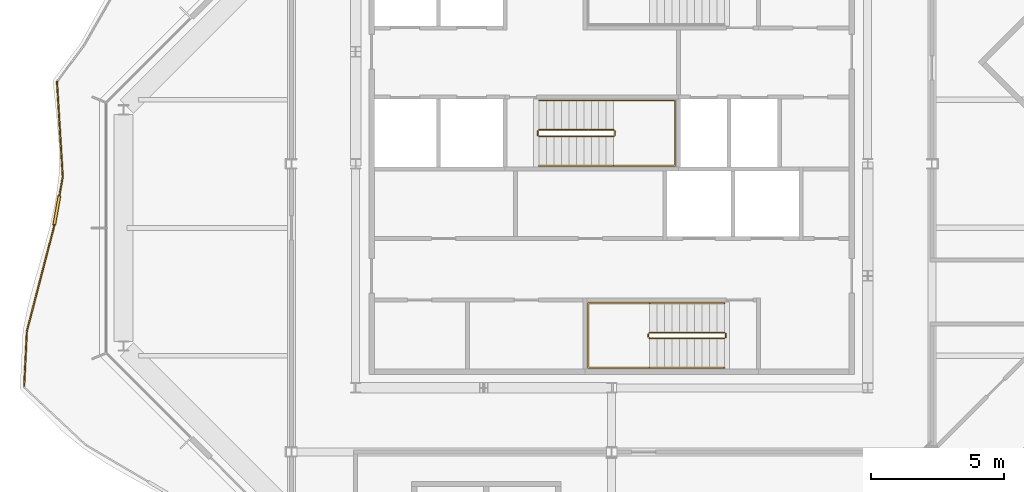
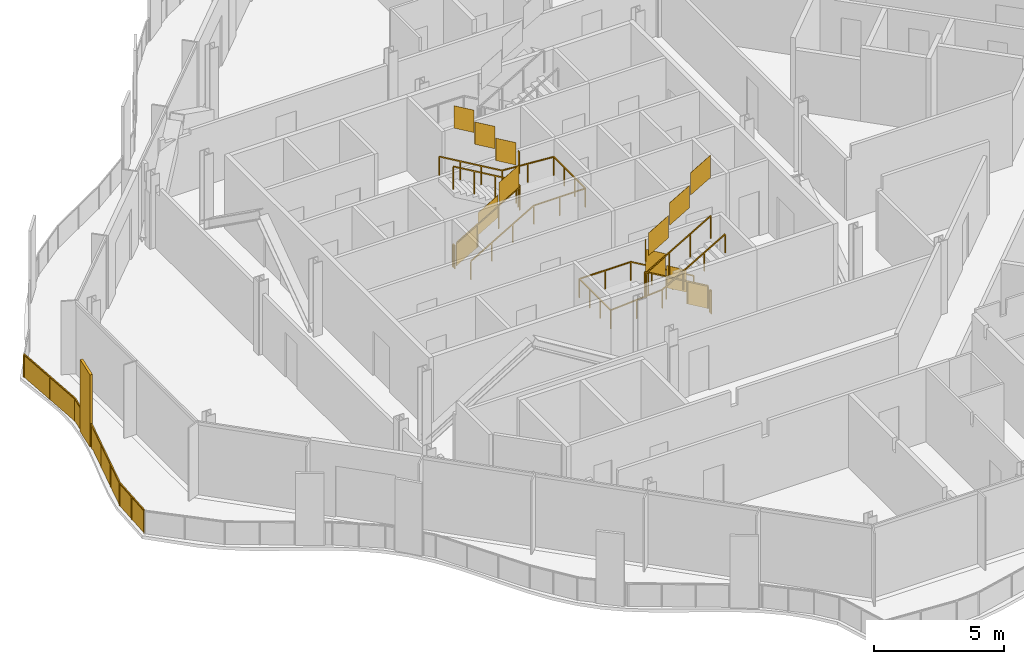
# One storey, part 13 of 16: 7 railings.
"""IFC4 building model written with IfcOpenShell, lengths in metres."""

from ifc_helpers import new_model, si_unit, direction, frame, origin, origin_2d, place, context, subcontext, project, spatial, polyline, rectangle, outline, extrude, material, type_object, element, save


model = new_model("IFC4")

# Units and contexts
model_context = context("Model", 3, precision=1e-05, world=origin(), true_north=direction((0.0, 1.0)))
body_context = subcontext(model_context, "Body", "Model", "MODEL_VIEW")
ifc_project = project(units=[si_unit("LENGTHUNIT", "METRE"), si_unit("AREAUNIT", "SQUARE_METRE"), si_unit("VOLUMEUNIT", "CUBIC_METRE"), si_unit("PLANEANGLEUNIT", "RADIAN"), si_unit("MASSUNIT", "GRAM", prefix="KILO")], contexts=[model_context])

# Site, building, storey
site_placement = place(None, origin())
site = spatial("IfcSite", under=ifc_project, at=site_placement, CompositionType="ELEMENT")
building_placement = place(site_placement, origin())
building = spatial("IfcBuilding", under=site, at=building_placement, Name="Cairn Pilgrim Tower", CompositionType="ELEMENT")
storey_placement = place(building_placement, frame((0.0, 0.0, 285.0)))
storey = spatial("IfcBuildingStorey", under=building, at=storey_placement, Name="L73", CompositionType="ELEMENT", Elevation=285.0)

# Railings
ifc_material_1 = material(Name="Bronze anodised aluminium rail, posts and fin screens with laminated glass infill", Category="aluminium")
railing_type_1 = type_object("IfcRailingType", Name="BALCONY GUARD WITH FIN SCREENS", PredefinedType="GUARDRAIL", material=ifc_material_1)
railing_1_placement = place(storey_placement, frame((-13.596923828125, 5.479248046875, 0.0)))
element("IfcRailing", 1, at=railing_1_placement, inside=storey, type_object=railing_type_1, Name="Balcony guard BGF-7 with fin screens", PredefinedType="GUARDRAIL", context=body_context, shape_type="SweptSolid", body=[
    extrude(rectangle(XDim=0.050048828125, YDim=0.050048828125, at=origin_2d()), frame((0.0, 0.0, 1.0751953125), z_axis=(0.060515682256, -0.998167246608, 0.0), x_axis=(0.998167246608, 0.060515682256, 0.0)), (0.0, 0.0, 1.0), 3.574462890625),
    extrude(rectangle(XDim=1.10009765625, YDim=0.110107421875, at=origin_2d()), frame((-0.0068359375, -4.822265625, 0.0), z_axis=(0.0, 0.0, 1.0), x_axis=(-0.175139908837, -0.984543555325, 0.0)), (0.0, 0.0, 1.0), 3.39990234375),
    extrude(rectangle(XDim=0.050048828125, YDim=0.050048828125, at=origin_2d()), frame((0.21630859375, -3.56787109375, 1.0751953125), z_axis=(-0.175139908837, -0.984543555325, 0.0), x_axis=(0.984543555325, -0.175139908837, 0.0)), (0.0, 0.0, 1.0), 0.723876953125),
    extrude(rectangle(XDim=0.050048828125, YDim=0.050048828125, at=origin_2d()), frame((-0.10302734375, -5.36376953125, 1.0751953125), z_axis=(-0.175139908837, -0.984543555325, 0.0), x_axis=(0.984543555325, -0.175139908837, 0.0)), (0.0, 0.0, 1.0), 0.14990234375),
    extrude(rectangle(XDim=0.050048828125, YDim=0.050048828125, at=origin_2d()), frame((-0.12939453125, -5.51123046875, 1.0751953125), z_axis=(-0.252115597866, -0.967697124783, 0.0), x_axis=(0.967697124783, -0.252115597866, 0.0)), (0.0, 0.0, 1.0), 3.958740234375),
    extrude(rectangle(XDim=0.050048828125, YDim=0.050048828125, at=origin_2d()), frame((-1.12744140625, -9.342041015625, 1.0751953125), z_axis=(-0.049931687518, -0.998752635331, 0.0), x_axis=(0.998752635331, -0.049931687518, 0.0)), (0.0, 0.0, 1.0), 2.053466796875),
    extrude(rectangle(XDim=0.050048828125, YDim=0.050048828125, at=origin_2d()), origin(), (0.0, 0.0, 1.0), 1.050048828125),
    extrude(rectangle(XDim=0.050048828125, YDim=0.050048828125, at=origin_2d()), frame((0.108154296875, -1.783935546875, 0.0)), (0.0, 0.0, 1.0), 1.050048828125),
    extrude(rectangle(XDim=0.050048828125, YDim=0.050048828125, at=origin_2d()), frame((0.21630859375, -3.56787109375, 0.0)), (0.0, 0.0, 1.0), 1.050048828125),
    extrude(rectangle(XDim=0.050048828125, YDim=0.050048828125, at=origin_2d()), frame((0.093994140625, -4.256103515625, 0.0)), (0.0, 0.0, 1.0), 1.050048828125),
    extrude(rectangle(XDim=0.050048828125, YDim=0.050048828125, at=origin_2d()), frame((-0.107421875, -5.38818359375, 0.0)), (0.0, 0.0, 1.0), 1.050048828125),
    extrude(rectangle(XDim=0.050048828125, YDim=0.050048828125, at=origin_2d()), frame((-0.12939453125, -5.51123046875, 0.0)), (0.0, 0.0, 1.0), 1.050048828125),
    extrude(rectangle(XDim=0.050048828125, YDim=0.050048828125, at=origin_2d()), frame((-0.462158203125, -6.7880859375, 0.0)), (0.0, 0.0, 1.0), 1.050048828125),
    extrude(rectangle(XDim=0.050048828125, YDim=0.050048828125, at=origin_2d()), frame((-0.794677734375, -8.065185546875, 0.0)), (0.0, 0.0, 1.0), 1.050048828125),
    extrude(rectangle(XDim=0.050048828125, YDim=0.050048828125, at=origin_2d()), frame((-1.12744140625, -9.342041015625, 0.0)), (0.0, 0.0, 1.0), 1.050048828125),
    extrude(rectangle(XDim=0.050048828125, YDim=0.050048828125, at=origin_2d()), frame((-1.1787109375, -10.36767578125, 0.0)), (0.0, 0.0, 1.0), 1.050048828125),
    extrude(rectangle(XDim=0.050048828125, YDim=0.050048828125, at=origin_2d()), frame((-1.22998046875, -11.39306640625, 0.0)), (0.0, 0.0, 1.0), 1.050048828125),
    extrude(outline(polyline([(0.02490234375, 0.0), (1.76220703125, 0.0), (1.76220703125, 1.050048828125), (0.02490234375, 1.050048828125), (0.02490234375, 0.0)])), frame((0.005859375, 0.000244140625, 0.0), z_axis=(-0.998167246608, -0.060515682256, 0.0), x_axis=(0.060515682256, -0.998167246608, 0.0)), (0.0, 0.0, 1.0), 0.011962890625),
    extrude(outline(polyline([(0.02490234375, 0.0), (1.76220703125, 0.0), (1.76220703125, 1.050048828125), (0.02490234375, 1.050048828125), (0.02490234375, 0.0)])), frame((0.114013671875, -1.78369140625, 0.0), z_axis=(-0.998167246608, -0.060515682256, 0.0), x_axis=(0.060515682256, -0.998167246608, 0.0)), (0.0, 0.0, 1.0), 0.011962890625),
    extrude(outline(polyline([(0.02490234375, 0.0), (0.673828125, 0.0), (0.673828125, 1.050048828125), (0.02490234375, 1.050048828125), (0.02490234375, 0.0)])), frame((0.22216796875, -3.56884765625, 0.0), z_axis=(-0.984543555325, 0.175139908837, 0.0), x_axis=(-0.175139908837, -0.984543555325, 0.0)), (0.0, 0.0, 1.0), 0.011962890625),
    extrude(outline(polyline([(0.02490234375, 0.0), (0.099853515625, 0.0), (0.099853515625, 1.050048828125), (0.02490234375, 1.050048828125), (0.02490234375, 0.0)])), frame((-0.1015625, -5.389404296875, 0.0), z_axis=(-0.984543555325, 0.175139908837, 0.0), x_axis=(-0.175139908837, -0.984543555325, 0.0)), (0.0, 0.0, 1.0), 0.011962890625),
    extrude(outline(polyline([(0.02490234375, 0.0), (1.29443359375, 0.0), (1.29443359375, 1.050048828125), (0.02490234375, 1.050048828125), (0.02490234375, 0.0)])), frame((-0.12353515625, -5.5126953125, 0.0), z_axis=(-0.967697124783, 0.252115597866, 0.0), x_axis=(-0.252115597866, -0.967697124783, 0.0)), (0.0, 0.0, 1.0), 0.011962890625),
    extrude(outline(polyline([(0.02490234375, 0.0), (1.29443359375, 0.0), (1.29443359375, 1.050048828125), (0.02490234375, 1.050048828125), (0.02490234375, 0.0)])), frame((-0.456298828125, -6.789794921875, 0.0), z_axis=(-0.967697124783, 0.252115597866, 0.0), x_axis=(-0.252115597866, -0.967697124783, 0.0)), (0.0, 0.0, 1.0), 0.011962890625),
    extrude(outline(polyline([(0.02490234375, 0.0), (1.29443359375, 0.0), (1.29443359375, 1.050048828125), (0.02490234375, 1.050048828125), (0.02490234375, 0.0)])), frame((-0.7890625, -8.066650390625, 0.0), z_axis=(-0.967697124783, 0.252115597866, 0.0), x_axis=(-0.252115597866, -0.967697124783, 0.0)), (0.0, 0.0, 1.0), 0.011962890625),
    extrude(outline(polyline([(0.02490234375, 0.0), (1.001708984375, 0.0), (1.001708984375, 1.050048828125), (0.02490234375, 1.050048828125), (0.02490234375, 0.0)])), frame((-1.12158203125, -9.34228515625, 0.0), z_axis=(-0.998752635331, 0.049931687518, 0.0), x_axis=(-0.049931687518, -0.998752635331, 0.0)), (0.0, 0.0, 1.0), 0.011962890625),
    extrude(outline(polyline([(0.02490234375, 0.0), (1.001708984375, 0.0), (1.001708984375, 1.050048828125), (0.02490234375, 1.050048828125), (0.02490234375, 0.0)])), frame((-1.1728515625, -10.367919921875, 0.0), z_axis=(-0.998752635331, 0.049931687518, 0.0), x_axis=(-0.049931687518, -0.998752635331, 0.0)), (0.0, 0.0, 1.0), 0.011962890625),
])
ifc_material_2 = material(Name="Painted steel", Category="steel")
railing_type_2 = type_object("IfcRailingType", Name="STAIR GUARD 1100", PredefinedType="GUARDRAIL", material=ifc_material_2)
railing_2_placement = place(storey_placement, frame((11.425048828125, -3.925048828125, 0.16357421875)))
element("IfcRailing", 2, at=railing_2_placement, inside=storey, type_object=railing_type_2, Name="L73 ST-A stair guard 1", PredefinedType="GUARDRAIL", context=body_context, shape_type="SweptSolid", body=[
    extrude(rectangle(XDim=0.048095703125, YDim=0.048095703125, at=origin_2d()), frame((0.0, 0.0, 1.076171875), z_axis=(-0.863360870873, 0.0, 0.504586966384), x_axis=(0.0, -1.0, 0.0)), (0.0, 0.0, 1.0), 3.2431640625),
    extrude(rectangle(XDim=0.048095703125, YDim=0.048095703125, at=origin_2d()), frame((-2.800048828125, 0.0, 2.71240234375), z_axis=(-0.707106781187, -0.707106781187, 0.0), x_axis=(0.707106781187, -0.707106781187, 0.0)), (0.0, 0.0, 1.0), 0.07080078125),
    extrude(rectangle(XDim=0.048095703125, YDim=0.048095703125, at=origin_2d()), frame((-2.85009765625, -0.050048828125, 2.71240234375), z_axis=(0.0, -1.0, 0.0), x_axis=(1.0, 0.0, 0.0)), (0.0, 0.0, 1.0), 0.125),
    extrude(rectangle(XDim=0.048095703125, YDim=0.048095703125, at=origin_2d()), frame((-2.85009765625, -0.175048828125, 2.71240234375), z_axis=(0.280916556609, -0.279546231943, 0.91811752648), x_axis=(0.705375805398, 0.708833529934, 0.0)), (0.0, 0.0, 1.0), 0.17822265625),
    extrude(rectangle(XDim=0.048095703125, YDim=0.048095703125, at=origin_2d()), frame((-2.800048828125, -0.224853515625, 2.8759765625), z_axis=(0.863360870873, 0.0, 0.504586966384), x_axis=(0.0, 1.0, 0.0)), (0.0, 0.0, 1.0), 3.2431640625),
    extrude(rectangle(XDim=0.0419921875, YDim=0.0419921875, at=origin_2d()), origin(), (0.0, 0.0, 1.0), 1.052001953125),
    extrude(rectangle(XDim=0.0419921875, YDim=0.0419921875, at=origin_2d()), frame((-0.933349609375, 0.0, 0.54541015625)), (0.0, 0.0, 1.0), 1.052001953125),
    extrude(rectangle(XDim=0.0419921875, YDim=0.0419921875, at=origin_2d()), frame((-1.86669921875, 0.0, 1.091064453125)), (0.0, 0.0, 1.0), 1.052001953125),
    extrude(rectangle(XDim=0.0419921875, YDim=0.0419921875, at=origin_2d()), frame((-2.800048828125, 0.0, 1.636474609375)), (0.0, 0.0, 1.0), 1.052001953125),
    extrude(rectangle(XDim=0.0419921875, YDim=0.0419921875, at=origin_2d()), frame((-2.85009765625, -0.050048828125, 1.636474609375)), (0.0, 0.0, 1.0), 1.052001953125),
    extrude(rectangle(XDim=0.0419921875, YDim=0.0419921875, at=origin_2d()), frame((-2.85009765625, -0.175048828125, 1.636474609375)), (0.0, 0.0, 1.0), 1.052001953125),
    extrude(rectangle(XDim=0.0419921875, YDim=0.0419921875, at=origin_2d()), frame((-2.800048828125, -0.224853515625, 1.800048828125)), (0.0, 0.0, 1.0), 1.052001953125),
    extrude(rectangle(XDim=0.0419921875, YDim=0.0419921875, at=origin_2d()), frame((-1.86669921875, -0.224853515625, 2.345458984375)), (0.0, 0.0, 1.0), 1.052001953125),
    extrude(rectangle(XDim=0.0419921875, YDim=0.0419921875, at=origin_2d()), frame((-0.933349609375, -0.224853515625, 2.89111328125)), (0.0, 0.0, 1.0), 1.052001953125),
    extrude(rectangle(XDim=0.0419921875, YDim=0.0419921875, at=origin_2d()), frame((0.0, -0.224853515625, 3.4365234375)), (0.0, 0.0, 1.0), 1.052001953125),
    extrude(outline(polyline([(0.02099609375, 0.01220703125), (0.912353515625, 0.533203125), (0.912353515625, 1.585205078125), (0.02099609375, 1.064208984375), (0.02099609375, 0.01220703125)])), frame((0.0, -0.005859375, 0.0), z_axis=(0.0, 1.0, 0.0), x_axis=(-1.0, 0.0, 0.0)), (0.0, 0.0, 1.0), 0.011962890625),
    extrude(outline(polyline([(0.02099609375, 0.557861328125), (0.912353515625, 1.07861328125), (0.912353515625, 2.130615234375), (0.02099609375, 1.60986328125), (0.02099609375, 0.557861328125)])), frame((-0.933349609375, -0.005859375, 0.54541015625), z_axis=(0.0, 1.0, 0.0), x_axis=(-1.0, 0.0, 0.0)), (0.0, 0.0, 1.0), 0.011962890625),
    extrude(outline(polyline([(0.02099609375, 1.103271484375), (0.912353515625, 1.624267578125), (0.912353515625, 2.67626953125), (0.02099609375, 2.1552734375), (0.02099609375, 1.103271484375)])), frame((-1.86669921875, -0.005859375, 1.091064453125), z_axis=(0.0, 1.0, 0.0), x_axis=(-1.0, 0.0, 0.0)), (0.0, 0.0, 1.0), 0.011962890625),
    extrude(outline(polyline([(0.02099609375, 1.636474609375), (0.10400390625, 1.636474609375), (0.10400390625, 2.6884765625), (0.02099609375, 2.6884765625), (0.02099609375, 1.636474609375)])), frame((-2.84423828125, -0.050048828125, 1.636474609375), z_axis=(-1.0, 0.0, 0.0), x_axis=(0.0, -1.0, 0.0)), (0.0, 0.0, 1.0), 0.011962890625),
    extrude(outline(polyline([(0.02099609375, 1.812255859375), (0.912353515625, 2.333251953125), (0.912353515625, 3.38525390625), (0.02099609375, 2.8642578125), (0.02099609375, 1.812255859375)])), frame((-2.800048828125, -0.21875, 1.800048828125), z_axis=(0.0, -1.0, 0.0), x_axis=(1.0, 0.0, 0.0)), (0.0, 0.0, 1.0), 0.011962890625),
    extrude(outline(polyline([(0.02099609375, 2.35791015625), (0.912353515625, 2.878662109375), (0.912353515625, 3.9306640625), (0.02099609375, 3.409912109375), (0.02099609375, 2.35791015625)])), frame((-1.86669921875, -0.21875, 2.345458984375), z_axis=(0.0, -1.0, 0.0), x_axis=(1.0, 0.0, 0.0)), (0.0, 0.0, 1.0), 0.011962890625),
    extrude(outline(polyline([(0.02099609375, 2.9033203125), (0.912353515625, 3.42431640625), (0.912353515625, 4.476318359375), (0.02099609375, 3.955322265625), (0.02099609375, 2.9033203125)])), frame((-0.933349609375, -0.21875, 2.89111328125), z_axis=(0.0, -1.0, 0.0), x_axis=(1.0, 0.0, 0.0)), (0.0, 0.0, 1.0), 0.011962890625),
])
railing_3_placement = place(storey_placement, frame((11.47509765625, -3.97509765625, 0.0)))
element("IfcRailing", 3, at=railing_3_placement, inside=storey, type_object=railing_type_2, Name="L73 ST-A stair guard 2", PredefinedType="GUARDRAIL", context=body_context, shape_type="SweptSolid", body=[
    extrude(rectangle(XDim=0.048095703125, YDim=0.048095703125, at=origin_2d()), frame((0.0, 0.0, 1.076171875), z_axis=(0.0, -1.0, 0.0), x_axis=(1.0, 0.0, 0.0)), (0.0, 0.0, 1.0), 0.125),
    extrude(rectangle(XDim=0.0419921875, YDim=0.0419921875, at=origin_2d()), origin(), (0.0, 0.0, 1.0), 1.052001953125),
    extrude(rectangle(XDim=0.0419921875, YDim=0.0419921875, at=origin_2d()), frame((0.0, -0.125, 0.0)), (0.0, 0.0, 1.0), 1.052001953125),
    extrude(outline(polyline([(0.02099609375, 0.0), (0.10400390625, 0.0), (0.10400390625, 1.052001953125), (0.02099609375, 1.052001953125), (0.02099609375, 0.0)])), frame((0.005859375, 0.0, 0.0), z_axis=(-1.0, 0.0, 0.0), x_axis=(0.0, -1.0, 0.0)), (0.0, 0.0, 1.0), 0.011962890625),
])
railing_4_placement = place(storey_placement, frame((4.47509765625, 3.425048828125, 0.16357421875)))
element("IfcRailing", 4, at=railing_4_placement, inside=storey, type_object=railing_type_2, Name="L73 ST-B stair guard 1", PredefinedType="GUARDRAIL", context=body_context, shape_type="SweptSolid", body=[
    extrude(rectangle(XDim=0.048095703125, YDim=0.048095703125, at=origin_2d()), frame((0.0, 0.0, 1.076171875), z_axis=(0.863341702679, 0.0, 0.504619762213), x_axis=(0.0, 1.0, 0.0)), (0.0, 0.0, 1.0), 3.242919921875),
    extrude(rectangle(XDim=0.048095703125, YDim=0.048095703125, at=origin_2d()), frame((2.7998046875, 0.0, 2.71240234375), z_axis=(0.707106781187, 0.707106781187, 0.0), x_axis=(-0.707106781187, 0.707106781187, 0.0)), (0.0, 0.0, 1.0), 0.07080078125),
    extrude(rectangle(XDim=0.048095703125, YDim=0.048095703125, at=origin_2d()), frame((2.849853515625, 0.050048828125, 2.71240234375), z_axis=(0.0, 1.0, 0.0), x_axis=(-1.0, 0.0, 0.0)), (0.0, 0.0, 1.0), 0.14990234375),
    extrude(rectangle(XDim=0.048095703125, YDim=0.048095703125, at=origin_2d()), frame((2.849853515625, 0.199951171875, 2.71240234375), z_axis=(-0.280808744504, 0.280808744504, 0.917765164963), x_axis=(-0.707106781187, -0.707106781187, 0.0)), (0.0, 0.0, 1.0), 0.17822265625),
    extrude(rectangle(XDim=0.048095703125, YDim=0.048095703125, at=origin_2d()), frame((2.7998046875, 0.25, 2.8759765625), z_axis=(-0.863341702679, 0.0, 0.504619762213), x_axis=(0.0, -1.0, 0.0)), (0.0, 0.0, 1.0), 3.242919921875),
    extrude(rectangle(XDim=0.0419921875, YDim=0.0419921875, at=origin_2d()), origin(), (0.0, 0.0, 1.0), 1.052001953125),
    extrude(rectangle(XDim=0.0419921875, YDim=0.0419921875, at=origin_2d()), frame((0.933349609375, 0.0, 0.54541015625)), (0.0, 0.0, 1.0), 1.052001953125),
    extrude(rectangle(XDim=0.0419921875, YDim=0.0419921875, at=origin_2d()), frame((1.866455078125, 0.0, 1.091064453125)), (0.0, 0.0, 1.0), 1.052001953125),
    extrude(rectangle(XDim=0.0419921875, YDim=0.0419921875, at=origin_2d()), frame((2.7998046875, 0.0, 1.636474609375)), (0.0, 0.0, 1.0), 1.052001953125),
    extrude(rectangle(XDim=0.0419921875, YDim=0.0419921875, at=origin_2d()), frame((2.849853515625, 0.050048828125, 1.636474609375)), (0.0, 0.0, 1.0), 1.052001953125),
    extrude(rectangle(XDim=0.0419921875, YDim=0.0419921875, at=origin_2d()), frame((2.849853515625, 0.199951171875, 1.636474609375)), (0.0, 0.0, 1.0), 1.052001953125),
    extrude(rectangle(XDim=0.0419921875, YDim=0.0419921875, at=origin_2d()), frame((2.7998046875, 0.25, 1.800048828125)), (0.0, 0.0, 1.0), 1.052001953125),
    extrude(rectangle(XDim=0.0419921875, YDim=0.0419921875, at=origin_2d()), frame((1.866455078125, 0.25, 2.345458984375)), (0.0, 0.0, 1.0), 1.052001953125),
    extrude(rectangle(XDim=0.0419921875, YDim=0.0419921875, at=origin_2d()), frame((0.933349609375, 0.25, 2.89111328125)), (0.0, 0.0, 1.0), 1.052001953125),
    extrude(rectangle(XDim=0.0419921875, YDim=0.0419921875, at=origin_2d()), frame((0.0, 0.25, 3.4365234375)), (0.0, 0.0, 1.0), 1.052001953125),
    extrude(outline(polyline([(0.02099609375, 0.01220703125), (0.912353515625, 0.533203125), (0.912353515625, 1.585205078125), (0.02099609375, 1.064208984375), (0.02099609375, 0.01220703125)])), frame((0.0, 0.005859375, 0.0), z_axis=(0.0, -1.0, 0.0), x_axis=(1.0, 0.0, 0.0)), (0.0, 0.0, 1.0), 0.011962890625),
    extrude(outline(polyline([(0.02099609375, 0.557861328125), (0.912353515625, 1.07861328125), (0.912353515625, 2.130615234375), (0.02099609375, 1.60986328125), (0.02099609375, 0.557861328125)])), frame((0.933349609375, 0.005859375, 0.54541015625), z_axis=(0.0, -1.0, 0.0), x_axis=(1.0, 0.0, 0.0)), (0.0, 0.0, 1.0), 0.011962890625),
    extrude(outline(polyline([(0.02099609375, 1.103271484375), (0.912353515625, 1.624267578125), (0.912353515625, 2.67626953125), (0.02099609375, 2.1552734375), (0.02099609375, 1.103271484375)])), frame((1.866455078125, 0.005859375, 1.091064453125), z_axis=(0.0, -1.0, 0.0), x_axis=(1.0, 0.0, 0.0)), (0.0, 0.0, 1.0), 0.011962890625),
    extrude(outline(polyline([(0.02099609375, 1.636474609375), (0.12890625, 1.636474609375), (0.12890625, 2.6884765625), (0.02099609375, 2.6884765625), (0.02099609375, 1.636474609375)])), frame((2.84375, 0.050048828125, 1.636474609375), z_axis=(1.0, 0.0, 0.0), x_axis=(0.0, 1.0, 0.0)), (0.0, 0.0, 1.0), 0.011962890625),
    extrude(outline(polyline([(0.02099609375, 1.812255859375), (0.912353515625, 2.333251953125), (0.912353515625, 3.38525390625), (0.02099609375, 2.8642578125), (0.02099609375, 1.812255859375)])), frame((2.7998046875, 0.244140625, 1.800048828125), z_axis=(0.0, 1.0, 0.0), x_axis=(-1.0, 0.0, 0.0)), (0.0, 0.0, 1.0), 0.011962890625),
    extrude(outline(polyline([(0.02099609375, 2.35791015625), (0.912353515625, 2.878662109375), (0.912353515625, 3.9306640625), (0.02099609375, 3.409912109375), (0.02099609375, 2.35791015625)])), frame((1.866455078125, 0.244140625, 2.345458984375), z_axis=(0.0, 1.0, 0.0), x_axis=(-1.0, 0.0, 0.0)), (0.0, 0.0, 1.0), 0.011962890625),
    extrude(outline(polyline([(0.02099609375, 2.9033203125), (0.912353515625, 3.42431640625), (0.912353515625, 4.476318359375), (0.02099609375, 3.955322265625), (0.02099609375, 2.9033203125)])), frame((0.933349609375, 0.244140625, 2.89111328125), z_axis=(0.0, 1.0, 0.0), x_axis=(-1.0, 0.0, 0.0)), (0.0, 0.0, 1.0), 0.011962890625),
])
railing_5_placement = place(storey_placement, frame((4.425048828125, 3.47509765625, 0.0)))
element("IfcRailing", 5, at=railing_5_placement, inside=storey, type_object=railing_type_2, Name="L73 ST-B stair guard 2", PredefinedType="GUARDRAIL", context=body_context, shape_type="SweptSolid", body=[
    extrude(rectangle(XDim=0.048095703125, YDim=0.048095703125, at=origin_2d()), frame((0.0, 0.0, 1.076171875), z_axis=(0.0, 1.0, 0.0), x_axis=(-1.0, 0.0, 0.0)), (0.0, 0.0, 1.0), 0.14990234375),
    extrude(rectangle(XDim=0.0419921875, YDim=0.0419921875, at=origin_2d()), origin(), (0.0, 0.0, 1.0), 1.052001953125),
    extrude(rectangle(XDim=0.0419921875, YDim=0.0419921875, at=origin_2d()), frame((0.0, 0.14990234375, 0.0)), (0.0, 0.0, 1.0), 1.052001953125),
    extrude(outline(polyline([(0.02099609375, 0.0), (0.12890625, 0.0), (0.12890625, 1.052001953125), (0.02099609375, 1.052001953125), (0.02099609375, 0.0)])), frame((-0.005859375, 0.0, 0.0), z_axis=(1.0, 0.0, 0.0), x_axis=(0.0, 1.0, 0.0)), (0.0, 0.0, 1.0), 0.011962890625),
])
railing_type_3 = type_object("IfcRailingType", Name="STAIR HANDRAIL 900", PredefinedType="HANDRAIL", material=ifc_material_2)
railing_6_placement = place(storey_placement, frame((11.425048828125, -2.824951171875, 0.16357421875)))
element("IfcRailing", 6, at=railing_6_placement, inside=storey, type_object=railing_type_3, Name="L73 ST-A stair handrail 1", PredefinedType="HANDRAIL", context=body_context, shape_type="SweptSolid", body=[
    extrude(rectangle(XDim=0.048095703125, YDim=0.048095703125, at=origin_2d()), frame((0.0, 0.0, 0.8759765625), z_axis=(-0.863360870873, 0.0, 0.504586966384), x_axis=(0.0, -1.0, 0.0)), (0.0, 0.0, 1.0), 3.2431640625),
    extrude(rectangle(XDim=0.048095703125, YDim=0.048095703125, at=origin_2d()), frame((-2.800048828125, 0.0, 2.51220703125), z_axis=(-1.0, 0.0, 0.0), x_axis=(0.0, -1.0, 0.0)), (0.0, 0.0, 1.0), 2.300048828125),
    extrude(rectangle(XDim=0.048095703125, YDim=0.048095703125, at=origin_2d()), frame((-5.10009765625, 0.0, 2.51220703125), z_axis=(0.0, -1.0, 0.0), x_axis=(1.0, 0.0, 0.0)), (0.0, 0.0, 1.0), 2.425048828125),
    extrude(rectangle(XDim=0.048095703125, YDim=0.048095703125, at=origin_2d()), frame((-5.10009765625, -2.425048828125, 2.51220703125), z_axis=(0.997480687736, 0.0, 0.070938548008), x_axis=(0.0, 1.0, 0.0)), (0.0, 0.0, 1.0), 2.305908203125),
    extrude(rectangle(XDim=0.048095703125, YDim=0.048095703125, at=origin_2d()), frame((-2.800048828125, -2.425048828125, 2.67578125), z_axis=(0.863360870873, 0.0, 0.504586966384), x_axis=(0.0, 1.0, 0.0)), (0.0, 0.0, 1.0), 3.2431640625),
    extrude(rectangle(XDim=0.0419921875, YDim=0.0419921875, at=origin_2d()), origin(), (0.0, 0.0, 1.0), 0.851806640625),
    extrude(rectangle(XDim=0.0419921875, YDim=0.0419921875, at=origin_2d()), frame((-0.933349609375, 0.0, 0.54541015625)), (0.0, 0.0, 1.0), 0.851806640625),
    extrude(rectangle(XDim=0.0419921875, YDim=0.0419921875, at=origin_2d()), frame((-1.86669921875, 0.0, 1.091064453125)), (0.0, 0.0, 1.0), 0.851806640625),
    extrude(rectangle(XDim=0.0419921875, YDim=0.0419921875, at=origin_2d()), frame((-2.800048828125, 0.0, 1.636474609375)), (0.0, 0.0, 1.0), 0.851806640625),
    extrude(rectangle(XDim=0.0419921875, YDim=0.0419921875, at=origin_2d()), frame((-3.9501953125, 0.0, 1.636474609375)), (0.0, 0.0, 1.0), 0.851806640625),
    extrude(rectangle(XDim=0.0419921875, YDim=0.0419921875, at=origin_2d()), frame((-5.10009765625, 0.0, 1.636474609375)), (0.0, 0.0, 1.0), 0.851806640625),
    extrude(rectangle(XDim=0.0419921875, YDim=0.0419921875, at=origin_2d()), frame((-5.10009765625, -0.808349609375, 1.636474609375)), (0.0, 0.0, 1.0), 0.851806640625),
    extrude(rectangle(XDim=0.0419921875, YDim=0.0419921875, at=origin_2d()), frame((-5.10009765625, -1.61669921875, 1.636474609375)), (0.0, 0.0, 1.0), 0.851806640625),
    extrude(rectangle(XDim=0.0419921875, YDim=0.0419921875, at=origin_2d()), frame((-5.10009765625, -2.425048828125, 1.636474609375)), (0.0, 0.0, 1.0), 0.851806640625),
    extrude(rectangle(XDim=0.0419921875, YDim=0.0419921875, at=origin_2d()), frame((-3.9501953125, -2.425048828125, 1.71826171875)), (0.0, 0.0, 1.0), 0.851806640625),
    extrude(rectangle(XDim=0.0419921875, YDim=0.0419921875, at=origin_2d()), frame((-2.800048828125, -2.425048828125, 1.800048828125)), (0.0, 0.0, 1.0), 0.851806640625),
    extrude(rectangle(XDim=0.0419921875, YDim=0.0419921875, at=origin_2d()), frame((-1.86669921875, -2.425048828125, 2.345458984375)), (0.0, 0.0, 1.0), 0.851806640625),
    extrude(rectangle(XDim=0.0419921875, YDim=0.0419921875, at=origin_2d()), frame((-0.933349609375, -2.425048828125, 2.89111328125)), (0.0, 0.0, 1.0), 0.851806640625),
    extrude(rectangle(XDim=0.0419921875, YDim=0.0419921875, at=origin_2d()), frame((0.0, -2.425048828125, 3.4365234375)), (0.0, 0.0, 1.0), 0.851806640625),
])
railing_7_placement = place(storey_placement, frame((4.47509765625, 2.324951171875, 0.16357421875)))
element("IfcRailing", 7, at=railing_7_placement, inside=storey, type_object=railing_type_3, Name="L73 ST-B stair handrail 1", PredefinedType="HANDRAIL", context=body_context, shape_type="SweptSolid", body=[
    extrude(rectangle(XDim=0.048095703125, YDim=0.048095703125, at=origin_2d()), frame((0.0, 0.0, 0.8759765625), z_axis=(0.863341702679, 0.0, 0.504619762213), x_axis=(0.0, 1.0, 0.0)), (0.0, 0.0, 1.0), 3.242919921875),
    extrude(rectangle(XDim=0.048095703125, YDim=0.048095703125, at=origin_2d()), frame((2.7998046875, 0.0, 2.51220703125), z_axis=(1.0, 0.0, 0.0), x_axis=(0.0, 1.0, 0.0)), (0.0, 0.0, 1.0), 2.300048828125),
    extrude(rectangle(XDim=0.048095703125, YDim=0.048095703125, at=origin_2d()), frame((5.099853515625, 0.0, 2.51220703125), z_axis=(0.0, 1.0, 0.0), x_axis=(-1.0, 0.0, 0.0)), (0.0, 0.0, 1.0), 2.449951171875),
    extrude(rectangle(XDim=0.048095703125, YDim=0.048095703125, at=origin_2d()), frame((5.099853515625, 2.449951171875, 2.51220703125), z_axis=(-0.997480687736, 0.0, 0.070938548008), x_axis=(0.0, -1.0, 0.0)), (0.0, 0.0, 1.0), 2.305908203125),
    extrude(rectangle(XDim=0.048095703125, YDim=0.048095703125, at=origin_2d()), frame((2.7998046875, 2.449951171875, 2.67578125), z_axis=(-0.863341702679, 0.0, 0.504619762213), x_axis=(0.0, -1.0, 0.0)), (0.0, 0.0, 1.0), 3.242919921875),
    extrude(rectangle(XDim=0.0419921875, YDim=0.0419921875, at=origin_2d()), origin(), (0.0, 0.0, 1.0), 0.851806640625),
    extrude(rectangle(XDim=0.0419921875, YDim=0.0419921875, at=origin_2d()), frame((0.933349609375, 0.0, 0.54541015625)), (0.0, 0.0, 1.0), 0.851806640625),
    extrude(rectangle(XDim=0.0419921875, YDim=0.0419921875, at=origin_2d()), frame((1.866455078125, 0.0, 1.091064453125)), (0.0, 0.0, 1.0), 0.851806640625),
    extrude(rectangle(XDim=0.0419921875, YDim=0.0419921875, at=origin_2d()), frame((2.7998046875, 0.0, 1.636474609375)), (0.0, 0.0, 1.0), 0.851806640625),
    extrude(rectangle(XDim=0.0419921875, YDim=0.0419921875, at=origin_2d()), frame((3.94970703125, 0.0, 1.636474609375)), (0.0, 0.0, 1.0), 0.851806640625),
    extrude(rectangle(XDim=0.0419921875, YDim=0.0419921875, at=origin_2d()), frame((5.099853515625, 0.0, 1.636474609375)), (0.0, 0.0, 1.0), 0.851806640625),
    extrude(rectangle(XDim=0.0419921875, YDim=0.0419921875, at=origin_2d()), frame((5.099853515625, 0.816650390625, 1.636474609375)), (0.0, 0.0, 1.0), 0.851806640625),
    extrude(rectangle(XDim=0.0419921875, YDim=0.0419921875, at=origin_2d()), frame((5.099853515625, 1.63330078125, 1.636474609375)), (0.0, 0.0, 1.0), 0.851806640625),
    extrude(rectangle(XDim=0.0419921875, YDim=0.0419921875, at=origin_2d()), frame((5.099853515625, 2.449951171875, 1.636474609375)), (0.0, 0.0, 1.0), 0.851806640625),
    extrude(rectangle(XDim=0.0419921875, YDim=0.0419921875, at=origin_2d()), frame((3.94970703125, 2.449951171875, 1.71826171875)), (0.0, 0.0, 1.0), 0.851806640625),
    extrude(rectangle(XDim=0.0419921875, YDim=0.0419921875, at=origin_2d()), frame((2.7998046875, 2.449951171875, 1.800048828125)), (0.0, 0.0, 1.0), 0.851806640625),
    extrude(rectangle(XDim=0.0419921875, YDim=0.0419921875, at=origin_2d()), frame((1.866455078125, 2.449951171875, 2.345458984375)), (0.0, 0.0, 1.0), 0.851806640625),
    extrude(rectangle(XDim=0.0419921875, YDim=0.0419921875, at=origin_2d()), frame((0.933349609375, 2.449951171875, 2.89111328125)), (0.0, 0.0, 1.0), 0.851806640625),
    extrude(rectangle(XDim=0.0419921875, YDim=0.0419921875, at=origin_2d()), frame((0.0, 2.449951171875, 3.4365234375)), (0.0, 0.0, 1.0), 0.851806640625),
])

save(model, "model.ifc")
